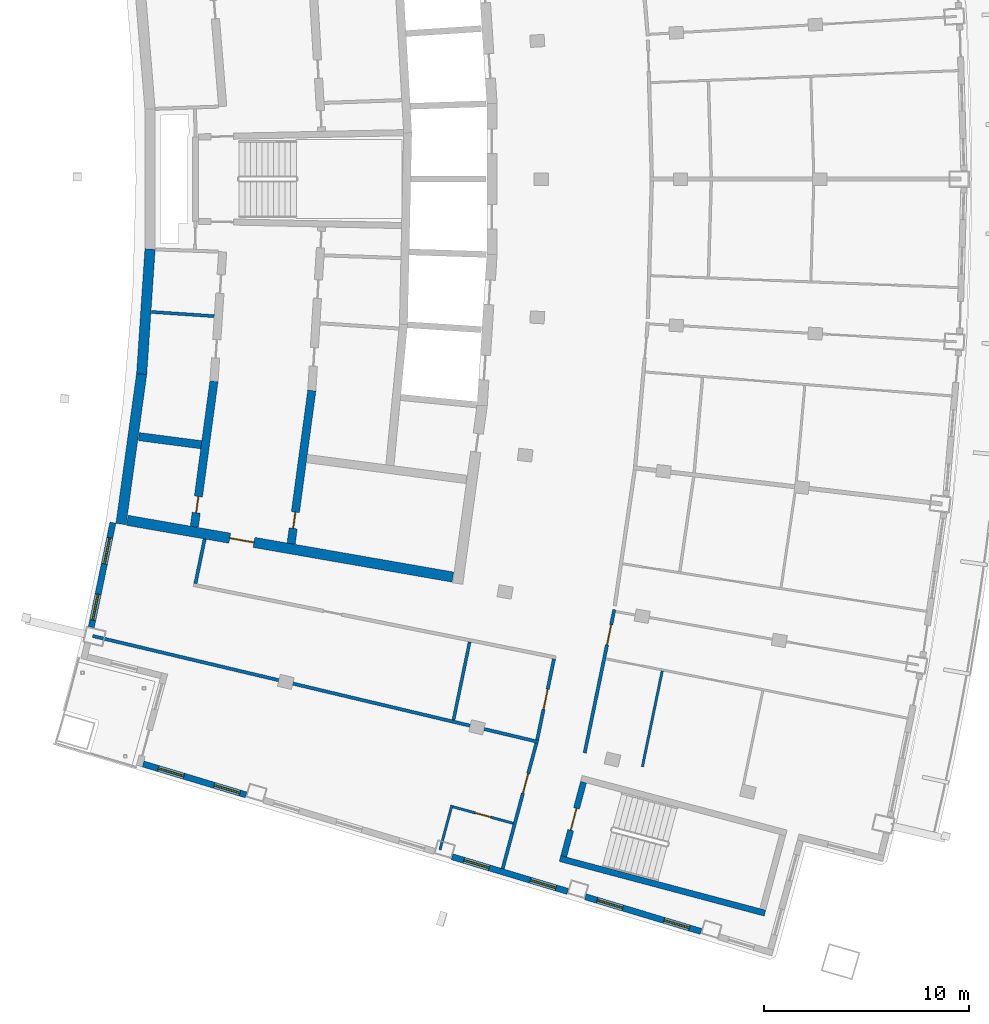
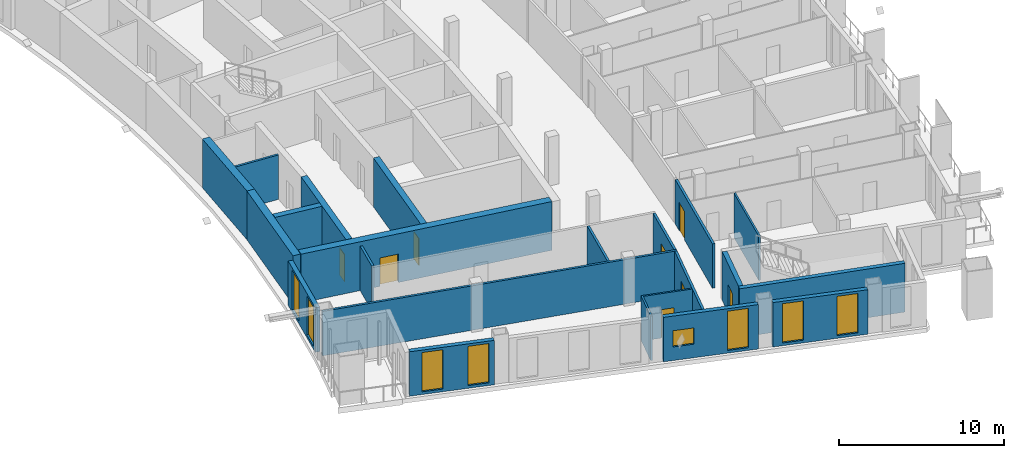
# One storey, part 7 of 17: 22 walls, 8 doors, 8 windows, 16 openings.
"""IFC4 building model written with IfcOpenShell, lengths in metres."""

from ifc_helpers import new_model, si_unit, direction, frame, frame_2d, origin, place, context, subcontext, project, spatial, rectangle, extrude, material, layer, layer_set, type_object, element, fill, save


model = new_model("IFC4")

# Units and contexts
model_context = context("Model", 3, precision=1e-05, world=origin(), true_north=direction((0.0, 1.0)))
body_context = subcontext(model_context, "Body", "Model", "MODEL_VIEW")
ifc_project = project(units=[si_unit("LENGTHUNIT", "METRE"), si_unit("AREAUNIT", "SQUARE_METRE"), si_unit("VOLUMEUNIT", "CUBIC_METRE"), si_unit("PLANEANGLEUNIT", "RADIAN"), si_unit("MASSUNIT", "GRAM", prefix="KILO")], contexts=[model_context])

# Site, building, storey
site_placement = place(None, origin())
site = spatial("IfcSite", under=ifc_project, at=site_placement, CompositionType="ELEMENT")
building_placement = place(site_placement, origin())
building = spatial("IfcBuilding", under=site, at=building_placement, Name="Alderwake Tower", CompositionType="ELEMENT")
storey_placement = place(building_placement, frame((0.0, 0.0, 274.39990234375)))
storey = spatial("IfcBuildingStorey", under=building, at=storey_placement, Name="L68", CompositionType="ELEMENT", Elevation=274.39990234375)

# Walls
ifc_material_1 = material(Name="Gypsum shaft wall system, rated")
ifc_layer_1 = layer(ifc_material_1, 0.14990234375)
ifc_layer_set_1 = layer_set([ifc_layer_1], Name="Core room partition 150")
wall_type_1 = type_object("IfcWallType", Name="Core room partition 150", PredefinedType="PARTITIONING", material=ifc_layer_set_1)
wall_1_placement = place(storey_placement, frame((16.7646484375, 54.512939453125, 0.0), z_axis=(0.0, 0.0, 1.0), x_axis=(0.997758318264, -0.066920388042, 0.0)))
element("IfcWall", 1, at=wall_1_placement, inside=storey, type_object=wall_type_1, Name="CW/L68/PR-70_+0", PredefinedType="PARTITIONING", context=body_context, shape_type="SweptSolid", body=[
    extrude(rectangle(XDim=3.068115234375, YDim=0.14990234375, at=frame_2d((1.5341796875, 0.0))), origin(), (0.0, 0.0, 1.0), 3.280029296875),
])
ifc_material_2 = material(Name="Concrete C70/85", Category="concrete")
ifc_layer_2 = layer(ifc_material_2, 0.5)
ifc_layer_set_2 = layer_set([ifc_layer_2], Name="Core wall outer 500 C70-85")
wall_type_2 = type_object("IfcWallType", Name="Core wall outer 500 C70-85", PredefinedType="SHEAR", material=ifc_layer_set_2)
wall_2_placement = place(storey_placement, frame((15.272216796875, 44.155029296875, 0.0), z_axis=(0.0, 0.0, 1.0), x_axis=(0.13632182908, 0.990664604655, 0.0)))
element("IfcWall", 2, at=wall_2_placement, inside=storey, type_object=wall_type_2, Name="Core wall CW.028", PredefinedType="SHEAR", context=body_context, shape_type="SweptSolid", body=[
    extrude(rectangle(XDim=7.408935546875, YDim=0.5, at=frame_2d((3.70458984375, 0.0))), origin(), (0.0, 0.0, 1.0), 3.60009765625),
])
wall_3_placement = place(storey_placement, frame((16.280517578125, 51.4765625, 0.0), z_axis=(0.0, 0.0, 1.0), x_axis=(0.066863022947, 0.997762164127, 0.0)))
element("IfcWall", 3, at=wall_3_placement, inside=storey, type_object=wall_type_2, Name="Core wall CW.027", PredefinedType="SHEAR", context=body_context, shape_type="SweptSolid", body=[
    extrude(rectangle(XDim=6.123291015625, YDim=0.5, at=frame_2d((3.0615234375, 0.0))), origin(), (0.0, 0.0, 1.0), 3.60009765625),
])

# Wall, opening, door
wall_4_placement = place(storey_placement, frame((31.47802734375, 41.564453125, 0.0), z_axis=(0.0, 0.0, 1.0), x_axis=(-0.985140274783, 0.171751678306, 0.0)))
wall_4 = element("IfcWall", 4, at=wall_4_placement, inside=storey, type_object=wall_type_2, Name="Core wall CW.072", PredefinedType="SHEAR", context=body_context, shape_type="SweptSolid", body=[
    extrude(rectangle(XDim=16.137939453125, YDim=0.5, at=frame_2d((8.06884765625, 0.0))), origin(), (0.0, 0.0, 1.0), 3.60009765625),
])
opening_1_placement = place(wall_4_placement, frame((9.859619140625, 0.0, 0.0)))
opening_1 = element("IfcOpeningElement", 5, at=opening_1_placement, cuts=wall_4, Name="Opening C003", PredefinedType="OPENING", context=body_context, shape_type="SweptSolid", body=[
    extrude(rectangle(XDim=1.199951171875, YDim=2.10009765625, at=frame_2d((0.60009765625, 1.050048828125))), frame((0.0, 0.260009765625, 0.0), z_axis=(0.0, -1.0, 0.0), x_axis=(1.0, 0.0, 0.0)), (0.0, 0.0, 1.0), 0.52001953125),
])
ifc_material_3 = material(Name="Steel-framed fire door leaf", Category="steel")
door_type_1 = type_object("IfcDoorType", Name="Core lobby exit door 1200 fire-rated", OperationType="SINGLE_SWING_LEFT", PredefinedType="DOOR", material=ifc_material_3)
door_1_placement = place(opening_1_placement, origin())
door_1 = element("IfcDoor", 6, at=door_1_placement, inside=storey, type_object=door_type_1, Name="Lobby door", OperationType="SINGLE_SWING_LEFT", OverallHeight=2.10009765625, OverallWidth=1.199951171875, PredefinedType="DOOR", context=body_context, shape_type="SweptSolid", body=[
    extrude(rectangle(XDim=1.199951171875, YDim=2.10009765625, at=frame_2d((0.60009765625, 1.050048828125))), frame((0.0, 0.02490234375, 0.0), z_axis=(0.0, -1.0, 0.0), x_axis=(1.0, 0.0, 0.0)), (0.0, 0.0, 1.0), 0.050048828125),
])
fill(opening_1, door_1)

ifc_material_4 = material(Name="Concrete C70/85", Category="concrete")
ifc_layer_3 = layer(ifc_material_4, 0.39990234375)
ifc_layer_set_3 = layer_set([ifc_layer_3], Name="Core wall spine 400 C70-85")
wall_type_3 = type_object("IfcWallType", Name="Core wall spine 400 C70-85", PredefinedType="SHEAR", material=ifc_layer_set_3)
wall_5_placement = place(storey_placement, frame((19.814697265625, 51.143798828125, 0.0), z_axis=(0.0, 0.0, 1.0), x_axis=(-0.133823115837, -0.991005233925, 0.0)))
wall_5 = element("IfcWall", 7, at=wall_5_placement, inside=storey, type_object=wall_type_3, Name="Core wall CW.033", PredefinedType="SHEAR", context=body_context, shape_type="SweptSolid", body=[
    extrude(rectangle(XDim=7.1787109375, YDim=0.39990234375, at=frame_2d((3.58935546875, 0.0))), origin(), (0.0, 0.0, 1.0), 3.60009765625),
])
opening_2_placement = place(wall_5_placement, frame((5.69677734375, 0.0, 0.0)))
opening_2 = element("IfcOpeningElement", 8, at=opening_2_placement, cuts=wall_5, Name="Opening C007", PredefinedType="OPENING", context=body_context, shape_type="SweptSolid", body=[
    extrude(rectangle(XDim=0.800048828125, YDim=2.0, at=frame_2d((0.39990234375, 1.0))), frame((0.0, 0.2099609375, 0.0), z_axis=(0.0, -1.0, 0.0), x_axis=(1.0, 0.0, 0.0)), (0.0, 0.0, 1.0), 0.419921875),
])
ifc_material_5 = material(Name="Painted steel leaf, rated", Category="steel")
door_type_2 = type_object("IfcDoorType", Name="Riser access door 800", OperationType="SINGLE_SWING_LEFT", PredefinedType="DOOR", material=ifc_material_5)
door_2_placement = place(opening_2_placement, origin())
door_2 = element("IfcDoor", 9, at=door_2_placement, inside=storey, type_object=door_type_2, Name="Riser access door", OperationType="SINGLE_SWING_LEFT", OverallHeight=2.0, OverallWidth=0.800048828125, PredefinedType="DOOR", context=body_context, shape_type="SweptSolid", body=[
    extrude(rectangle(XDim=0.800048828125, YDim=2.0, at=frame_2d((0.39990234375, 1.0))), frame((0.0, 0.02490234375, 0.0), z_axis=(0.0, -1.0, 0.0), x_axis=(1.0, 0.0, 0.0)), (0.0, 0.0, 1.0), 0.050048828125),
])
fill(opening_2, door_2)

wall_6_placement = place(storey_placement, frame((23.58056640625, 43.19384765625, 0.0), z_axis=(0.0, 0.0, 1.0), x_axis=(0.133962545762, 0.990986395635, 0.0)))
wall_6 = element("IfcWall", 10, at=wall_6_placement, inside=storey, type_object=wall_type_3, Name="Core wall CW.047", PredefinedType="SHEAR", context=body_context, shape_type="SweptSolid", body=[
    extrude(rectangle(XDim=7.546875, YDim=0.39990234375, at=frame_2d((3.7734375, 0.0))), origin(), (0.0, 0.0, 1.0), 3.60009765625),
])
opening_3_placement = place(wall_6_placement, frame((0.7578125, 0.0, 0.0)))
opening_3 = element("IfcOpeningElement", 11, at=opening_3_placement, cuts=wall_6, Name="Opening C014", PredefinedType="OPENING", context=body_context, shape_type="SweptSolid", body=[
    extrude(rectangle(XDim=0.800048828125, YDim=2.0, at=frame_2d((0.39990234375, 1.0))), frame((0.0, 0.2099609375, 0.0), z_axis=(0.0, -1.0, 0.0), x_axis=(1.0, 0.0, 0.0)), (0.0, 0.0, 1.0), 0.419921875),
])
door_3_placement = place(opening_3_placement, origin())
door_3 = element("IfcDoor", 12, at=door_3_placement, inside=storey, type_object=door_type_2, Name="Riser access door", OperationType="SINGLE_SWING_RIGHT", OverallHeight=2.0, OverallWidth=0.800048828125, PredefinedType="DOOR", context=body_context, shape_type="SweptSolid", body=[
    extrude(rectangle(XDim=0.800048828125, YDim=2.0, at=frame_2d((0.39990234375, 1.0))), frame((0.0, 0.02490234375, 0.0), z_axis=(0.0, -1.0, 0.0), x_axis=(1.0, 0.0, 0.0)), (0.0, 0.0, 1.0), 0.050048828125),
])
fill(opening_3, door_3)

# Walls
wall_7_placement = place(storey_placement, frame((16.142578125, 48.42529296875, 0.0), z_axis=(0.0, 0.0, 1.0), x_axis=(0.991550757989, -0.129719290517, 0.0)))
element("IfcWall", 13, at=wall_7_placement, inside=storey, type_object=wall_type_3, Name="Core wall CW.067", PredefinedType="SHEAR", context=body_context, shape_type="SweptSolid", body=[
    extrude(rectangle(XDim=3.0751953125, YDim=0.39990234375, at=frame_2d((1.53759765625, 0.0))), origin(), (0.0, 0.0, 1.0), 3.60009765625),
])
ifc_material_6 = material(Name="Concrete C70/85", Category="concrete")
ifc_layer_4 = layer(ifc_material_6, 0.300048828125)
ifc_layer_set_4 = layer_set([ifc_layer_4], Name="Core wall stair enclosure 300 C70-85")
wall_type_4 = type_object("IfcWallType", Name="Core wall stair enclosure 300 C70-85", PredefinedType="SHEAR", material=ifc_layer_set_4)
wall_8_placement = place(storey_placement, frame((36.71142578125, 27.817626953125, 0.0), z_axis=(0.0, 0.0, 1.0), x_axis=(0.966309214305, -0.257383958996, 0.0)))
element("IfcWall", 14, at=wall_8_placement, inside=storey, type_object=wall_type_4, Name="Core wall CW.088", PredefinedType="SHEAR", context=body_context, shape_type="SweptSolid", body=[
    extrude(rectangle(XDim=10.360107421875, YDim=0.300048828125, at=frame_2d((5.18017578125, 0.0))), origin(), (0.0, 0.0, 1.0), 3.60009765625),
])

# Wall, opening, door
wall_9_placement = place(storey_placement, frame((36.89501953125, 27.923828125, 0.0), z_axis=(0.0, 0.0, 1.0), x_axis=(0.257350630826, 0.966318090907, 0.0)))
wall_9 = element("IfcWall", 15, at=wall_9_placement, inside=storey, type_object=wall_type_4, Name="Core wall CW.087", PredefinedType="SHEAR", context=body_context, shape_type="SweptSolid", body=[
    extrude(rectangle(XDim=3.75, YDim=0.300048828125, at=frame_2d((1.875, 0.0))), origin(), (0.0, 0.0, 1.0), 3.60009765625),
])
opening_4_placement = place(wall_9_placement, frame((1.324951171875, 0.0, 0.0)))
opening_4 = element("IfcOpeningElement", 16, at=opening_4_placement, cuts=wall_9, Name="Opening C065", PredefinedType="OPENING", context=body_context, shape_type="SweptSolid", body=[
    extrude(rectangle(XDim=1.10009765625, YDim=2.10009765625, at=frame_2d((0.550048828125, 1.050048828125))), frame((0.0, 0.159912109375, 0.0), z_axis=(0.0, -1.0, 0.0), x_axis=(1.0, 0.0, 0.0)), (0.0, 0.0, 1.0), 0.320068359375),
])
ifc_material_7 = material(Name="Steel-framed fire door leaf", Category="steel")
door_type_3 = type_object("IfcDoorType", Name="Core stair door 1100 fire-rated", OperationType="SINGLE_SWING_LEFT", PredefinedType="DOOR", material=ifc_material_7)
door_4_placement = place(opening_4_placement, origin())
door_4 = element("IfcDoor", 17, at=door_4_placement, inside=storey, type_object=door_type_3, Name="Stair door", OperationType="SINGLE_SWING_LEFT", OverallHeight=2.10009765625, OverallWidth=1.10009765625, PredefinedType="DOOR", context=body_context, shape_type="SweptSolid", body=[
    extrude(rectangle(XDim=1.10009765625, YDim=2.10009765625, at=frame_2d((0.550048828125, 1.050048828125))), frame((0.0, 0.02490234375, 0.0), z_axis=(0.0, -1.0, 0.0), x_axis=(1.0, 0.0, 0.0)), (0.0, 0.0, 1.0), 0.050048828125),
])
fill(opening_4, door_4)

# Walls
ifc_material_8 = material(Name="Gypsum board on metal studs, rated")
ifc_layer_5 = layer(ifc_material_8, 0.159912109375)
ifc_layer_set_5 = layer_set([ifc_layer_5], Name="Corridor wall 160")
wall_type_5 = type_object("IfcWallType", Name="Corridor wall 160", PredefinedType="PARTITIONING", material=ifc_layer_set_5)
wall_10_placement = place(storey_placement, frame((13.884033203125, 38.68798828125, 0.0), z_axis=(0.0, 0.0, 1.0), x_axis=(0.972893462073, -0.231253781493, 0.0)))
element("IfcWall", 18, at=wall_10_placement, inside=storey, type_object=wall_type_5, Name="WL/L68/W06", PredefinedType="PARTITIONING", context=body_context, shape_type="SweptSolid", body=[
    extrude(rectangle(XDim=22.38037109375, YDim=0.159912109375, at=frame_2d((11.190185546875, 0.0))), origin(), (0.0, 0.0, 1.0), 3.280029296875),
])
wall_11_placement = place(storey_placement, frame((19.35888671875, 43.430908203125, 0.0), z_axis=(0.0, 0.0, 1.0), x_axis=(-0.202554916658, -0.979270905183, 0.0)))
element("IfcWall", 19, at=wall_11_placement, inside=storey, type_object=wall_type_5, Name="WL/L68/W08", PredefinedType="PARTITIONING", context=body_context, shape_type="SweptSolid", body=[
    extrude(rectangle(XDim=2.229736328125, YDim=0.159912109375, at=frame_2d((1.11474609375, 0.0))), origin(), (0.0, 0.0, 1.0), 3.280029296875),
])

# Wall, opening, door
wall_12_placement = place(storey_placement, frame((33.912109375, 27.321044921875, 0.0), z_axis=(0.0, 0.0, 1.0), x_axis=(0.259370874835, 0.965777794986, 0.0)))
wall_12 = element("IfcWall", 20, at=wall_12_placement, inside=storey, type_object=wall_type_5, Name="WL/L68/W13", PredefinedType="PARTITIONING", context=body_context, shape_type="SweptSolid", body=[
    extrude(rectangle(XDim=6.349853515625, YDim=0.159912109375, at=frame_2d((3.1748046875, 0.0))), origin(), (0.0, 0.0, 1.0), 3.280029296875),
])
opening_5_placement = place(wall_12_placement, frame((3.811279296875, 0.0, 0.0)))
opening_5 = element("IfcOpeningElement", 21, at=opening_5_placement, cuts=wall_12, Name="Opening R19-U07.1", PredefinedType="OPENING", context=body_context, shape_type="SweptSolid", body=[
    extrude(rectangle(XDim=1.0, YDim=2.10009765625, at=frame_2d((0.5, 1.050048828125))), frame((0.0, 0.08984375, 0.0), z_axis=(0.0, -1.0, 0.0), x_axis=(1.0, 0.0, 0.0)), (0.0, 0.0, 1.0), 0.179931640625),
])
ifc_material_9 = material(Name="Solid timber leaf in steel frame", Category="steel")
door_type_4 = type_object("IfcDoorType", Name="Flat entrance door 1000 fire-rated", OperationType="SINGLE_SWING_LEFT", PredefinedType="DOOR", material=ifc_material_9)
door_5_placement = place(opening_5_placement, origin())
door_5 = element("IfcDoor", 22, at=door_5_placement, inside=storey, type_object=door_type_4, Name="DR/L68/U07.1", OperationType="SINGLE_SWING_LEFT", OverallHeight=2.10009765625, OverallWidth=1.0, PredefinedType="DOOR", context=body_context, shape_type="SweptSolid", body=[
    extrude(rectangle(XDim=1.0, YDim=2.10009765625, at=frame_2d((0.5, 1.050048828125))), frame((0.0, 0.02490234375, 0.0), z_axis=(0.0, -1.0, 0.0), x_axis=(1.0, 0.0, 0.0)), (0.0, 0.0, 1.0), 0.050048828125),
])
fill(opening_5, door_5)

wall_13_placement = place(storey_placement, frame((35.59619140625, 33.609375, 0.0), z_axis=(0.0, 0.0, 1.0), x_axis=(0.203245920818, 0.979127721838, 0.0)))
wall_13 = element("IfcWall", 23, at=wall_13_placement, inside=storey, type_object=wall_type_5, Name="WL/L68/W16", PredefinedType="PARTITIONING", context=body_context, shape_type="SweptSolid", body=[
    extrude(rectangle(XDim=4.046875, YDim=0.159912109375, at=frame_2d((2.0234375, 0.0))), origin(), (0.0, 0.0, 1.0), 3.280029296875),
])
opening_6_placement = place(wall_13_placement, frame((1.5234375, 0.0, 0.0)))
opening_6 = element("IfcOpeningElement", 24, at=opening_6_placement, cuts=wall_13, Name="Opening R19-SBS2", PredefinedType="OPENING", context=body_context, shape_type="SweptSolid", body=[
    extrude(rectangle(XDim=1.0, YDim=2.10009765625, at=frame_2d((0.5, 1.050048828125))), frame((0.0, 0.08984375, 0.0), z_axis=(0.0, -1.0, 0.0), x_axis=(1.0, 0.0, 0.0)), (0.0, 0.0, 1.0), 0.179931640625),
])
ifc_material_10 = material(Name="Steel-framed fire door leaf", Category="steel")
door_type_5 = type_object("IfcDoorType", Name="Plant room door 1000 fire-rated", OperationType="SINGLE_SWING_LEFT", PredefinedType="DOOR", material=ifc_material_10)
door_6_placement = place(opening_6_placement, origin())
door_6 = element("IfcDoor", 25, at=door_6_placement, inside=storey, type_object=door_type_5, Name="DR/L68/SBS2", OperationType="SINGLE_SWING_LEFT", OverallHeight=2.10009765625, OverallWidth=1.0, PredefinedType="DOOR", context=body_context, shape_type="SweptSolid", body=[
    extrude(rectangle(XDim=1.0, YDim=2.10009765625, at=frame_2d((0.5, 1.050048828125))), frame((0.0, 0.02490234375, 0.0), z_axis=(0.0, -1.0, 0.0), x_axis=(1.0, 0.0, 0.0)), (0.0, 0.0, 1.0), 0.050048828125),
])
fill(opening_6, door_6)

wall_14_placement = place(storey_placement, frame((39.3642578125, 39.975341796875, 0.0), z_axis=(0.0, 0.0, 1.0), x_axis=(-0.202490391407, -0.979284249535, 0.0)))
wall_14 = element("IfcWall", 26, at=wall_14_placement, inside=storey, type_object=wall_type_5, Name="WL/L68/W18", PredefinedType="PARTITIONING", context=body_context, shape_type="SweptSolid", body=[
    extrude(rectangle(XDim=7.147216796875, YDim=0.159912109375, at=frame_2d((3.57373046875, 0.0))), origin(), (0.0, 0.0, 1.0), 3.280029296875),
])
opening_7_placement = place(wall_14_placement, frame((0.7568359375, 0.0, 0.0)))
opening_7 = element("IfcOpeningElement", 27, at=opening_7_placement, cuts=wall_14, Name="Opening R19-U03.2", PredefinedType="OPENING", context=body_context, shape_type="SweptSolid", body=[
    extrude(rectangle(XDim=1.0, YDim=2.10009765625, at=frame_2d((0.5, 1.050048828125))), frame((0.0, 0.08984375, 0.0), z_axis=(0.0, -1.0, 0.0), x_axis=(1.0, 0.0, 0.0)), (0.0, 0.0, 1.0), 0.179931640625),
])
door_7_placement = place(opening_7_placement, origin())
door_7 = element("IfcDoor", 28, at=door_7_placement, inside=storey, type_object=door_type_4, Name="DR/L68/U03.2", OperationType="SINGLE_SWING_LEFT", OverallHeight=2.10009765625, OverallWidth=1.0, PredefinedType="DOOR", context=body_context, shape_type="SweptSolid", body=[
    extrude(rectangle(XDim=1.0, YDim=2.10009765625, at=frame_2d((0.5, 1.050048828125))), frame((0.0, 0.02490234375, 0.0), z_axis=(0.0, -1.0, 0.0), x_axis=(1.0, 0.0, 0.0)), (0.0, 0.0, 1.0), 0.050048828125),
])
fill(opening_7, door_7)

# Wall, openings, windows
ifc_material_11 = material(Name="Precast concrete C50/60 spandrel panel", Category="concrete")
ifc_layer_6 = layer(ifc_material_11, 0.300048828125)
ifc_layer_set_6 = layer_set([ifc_layer_6], Name="External wall EW1 Precast concrete C50/60 spandrel")
wall_type_6 = type_object("IfcWallType", Name="External wall EW1 Precast concrete C50/60 spandrel", PredefinedType="SOLIDWALL", material=ifc_layer_set_6)
wall_15_placement = place(storey_placement, frame((14.878173828125, 44.223388671875, 0.0), z_axis=(0.0, 0.0, 1.0), x_axis=(-0.202760516883, -0.979228355795, 0.0)))
wall_15 = element("IfcWall", 29, at=wall_15_placement, inside=storey, type_object=wall_type_6, Name="External wall 32", PredefinedType="SOLIDWALL", context=body_context, shape_type="SweptSolid", body=[
    extrude(rectangle(XDim=5.211181640625, YDim=0.300048828125, at=frame_2d((2.60546875, 0.0))), origin(), (0.0, 0.0, 1.0), 3.280029296875),
])
opening_8_placement = place(wall_15_placement, frame((0.75634765625, 0.0, 0.199951171875)))
opening_8 = element("IfcOpeningElement", 30, at=opening_8_placement, cuts=wall_15, Name="Opening W1", PredefinedType="OPENING", context=body_context, shape_type="SweptSolid", body=[
    extrude(rectangle(XDim=1.300048828125, YDim=2.89990234375, at=frame_2d((0.64990234375, 1.449951171875))), frame((0.0, 0.159912109375, 0.0), z_axis=(0.0, -1.0, 0.0), x_axis=(1.0, 0.0, 0.0)), (0.0, 0.0, 1.0), 0.320068359375),
])
opening_9_placement = place(wall_15_placement, frame((3.569091796875, 0.0, 0.199951171875)))
opening_9 = element("IfcOpeningElement", 31, at=opening_9_placement, cuts=wall_15, Name="Opening W1", PredefinedType="OPENING", context=body_context, shape_type="SweptSolid", body=[
    extrude(rectangle(XDim=1.300048828125, YDim=2.89990234375, at=frame_2d((0.64990234375, 1.449951171875))), frame((0.0, 0.159912109375, 0.0), z_axis=(0.0, -1.0, 0.0), x_axis=(1.0, 0.0, 0.0)), (0.0, 0.0, 1.0), 0.320068359375),
])
ifc_material_12 = material(Name="Bronze tinted glass in aluminium frame", Category="aluminium")
window_type_1 = type_object("IfcWindowType", Name="Window W1 tall fixed and vent", PartitioningType="DOUBLE_PANEL_VERTICAL", PredefinedType="WINDOW", material=ifc_material_12)
window_1_placement = place(opening_8_placement, origin())
window_1 = element("IfcWindow", 32, at=window_1_placement, inside=storey, type_object=window_type_1, Name="Window W1 tall fixed and vent", OverallHeight=2.89990234375, OverallWidth=1.300048828125, PartitioningType="DOUBLE_PANEL_VERTICAL", PredefinedType="WINDOW", context=body_context, shape_type="SweptSolid", body=[
    extrude(rectangle(XDim=1.300048828125, YDim=2.89990234375, at=frame_2d((0.64990234375, 1.449951171875))), frame((0.0, 0.030029296875, 0.0), z_axis=(0.0, -1.0, 0.0), x_axis=(1.0, 0.0, 0.0)), (0.0, 0.0, 1.0), 0.06005859375),
])
fill(opening_8, window_1)
window_2_placement = place(opening_9_placement, origin())
window_2 = element("IfcWindow", 33, at=window_2_placement, inside=storey, type_object=window_type_1, Name="Window W1 tall fixed and vent", OverallHeight=2.89990234375, OverallWidth=1.300048828125, PartitioningType="DOUBLE_PANEL_VERTICAL", PredefinedType="WINDOW", context=body_context, shape_type="SweptSolid", body=[
    extrude(rectangle(XDim=1.300048828125, YDim=2.89990234375, at=frame_2d((0.64990234375, 1.449951171875))), frame((0.0, 0.030029296875, 0.0), z_axis=(0.0, -1.0, 0.0), x_axis=(1.0, 0.0, 0.0)), (0.0, 0.0, 1.0), 0.06005859375),
])
fill(opening_9, window_2)

ifc_material_13 = material(Name="Bronze metal cladding on lightweight framing")
ifc_layer_7 = layer(ifc_material_13, 0.300048828125)
ifc_layer_set_7 = layer_set([ifc_layer_7], Name="External wall EW2 bronze metal cladding")
wall_type_7 = type_object("IfcWallType", Name="External wall EW2 bronze metal cladding", PredefinedType="SOLIDWALL", material=ifc_layer_set_7)
wall_16_placement = place(storey_placement, frame((16.352783203125, 32.4375, 0.0), z_axis=(0.0, 0.0, 1.0), x_axis=(0.957768668152, -0.287539872551, 0.0)))
wall_16 = element("IfcWall", 34, at=wall_16_placement, inside=storey, type_object=wall_type_7, Name="External wall 4", PredefinedType="SOLIDWALL", context=body_context, shape_type="SweptSolid", body=[
    extrude(rectangle(XDim=5.249755859375, YDim=0.300048828125, at=frame_2d((2.625, 0.0))), origin(), (0.0, 0.0, 1.0), 3.280029296875),
])
opening_10_placement = place(wall_16_placement, frame((0.775390625, 0.0, 0.199951171875)))
opening_10 = element("IfcOpeningElement", 35, at=opening_10_placement, cuts=wall_16, Name="Opening W1", PredefinedType="OPENING", context=body_context, shape_type="SweptSolid", body=[
    extrude(rectangle(XDim=1.300048828125, YDim=2.89990234375, at=frame_2d((0.64990234375, 1.449951171875))), frame((0.0, 0.159912109375, 0.0), z_axis=(0.0, -1.0, 0.0), x_axis=(1.0, 0.0, 0.0)), (0.0, 0.0, 1.0), 0.320068359375),
])
opening_11_placement = place(wall_16_placement, frame((3.626220703125, 0.0, 0.199951171875)))
opening_11 = element("IfcOpeningElement", 36, at=opening_11_placement, cuts=wall_16, Name="Opening W1", PredefinedType="OPENING", context=body_context, shape_type="SweptSolid", body=[
    extrude(rectangle(XDim=1.300048828125, YDim=2.89990234375, at=frame_2d((0.64990234375, 1.449951171875))), frame((0.0, 0.159912109375, 0.0), z_axis=(0.0, -1.0, 0.0), x_axis=(1.0, 0.0, 0.0)), (0.0, 0.0, 1.0), 0.320068359375),
])
window_3_placement = place(opening_10_placement, origin())
window_3 = element("IfcWindow", 37, at=window_3_placement, inside=storey, type_object=window_type_1, Name="Window W1 tall fixed and vent", OverallHeight=2.89990234375, OverallWidth=1.300048828125, PartitioningType="DOUBLE_PANEL_VERTICAL", PredefinedType="WINDOW", context=body_context, shape_type="SweptSolid", body=[
    extrude(rectangle(XDim=1.300048828125, YDim=2.89990234375, at=frame_2d((0.64990234375, 1.449951171875))), frame((0.0, 0.030029296875, 0.0), z_axis=(0.0, -1.0, 0.0), x_axis=(1.0, 0.0, 0.0)), (0.0, 0.0, 1.0), 0.06005859375),
])
fill(opening_10, window_3)
window_4_placement = place(opening_11_placement, origin())
window_4 = element("IfcWindow", 38, at=window_4_placement, inside=storey, type_object=window_type_1, Name="Window W1 tall fixed and vent", OverallHeight=2.89990234375, OverallWidth=1.300048828125, PartitioningType="DOUBLE_PANEL_VERTICAL", PredefinedType="WINDOW", context=body_context, shape_type="SweptSolid", body=[
    extrude(rectangle(XDim=1.300048828125, YDim=2.89990234375, at=frame_2d((0.64990234375, 1.449951171875))), frame((0.0, 0.030029296875, 0.0), z_axis=(0.0, -1.0, 0.0), x_axis=(1.0, 0.0, 0.0)), (0.0, 0.0, 1.0), 0.06005859375),
])
fill(opening_11, window_4)

wall_17_placement = place(storey_placement, frame((31.441162109375, 27.90771484375, 0.0), z_axis=(0.0, 0.0, 1.0), x_axis=(0.957753322858, -0.287590981349, 0.0)))
wall_17 = element("IfcWall", 39, at=wall_17_placement, inside=storey, type_object=wall_type_7, Name="External wall 6", PredefinedType="SOLIDWALL", context=body_context, shape_type="SweptSolid", body=[
    extrude(rectangle(XDim=5.896484375, YDim=0.300048828125, at=frame_2d((2.9482421875, 0.0))), origin(), (0.0, 0.0, 1.0), 3.280029296875),
])
opening_12_placement = place(wall_17_placement, frame((0.59814453125, 0.0, 1.0)))
opening_12 = element("IfcOpeningElement", 40, at=opening_12_placement, cuts=wall_17, Name="Opening W2", PredefinedType="OPENING", context=body_context, shape_type="SweptSolid", body=[
    extrude(rectangle(XDim=1.300048828125, YDim=1.199951171875, at=frame_2d((0.64990234375, 0.60009765625))), frame((0.0, 0.159912109375, 0.0), z_axis=(0.0, -1.0, 0.0), x_axis=(1.0, 0.0, 0.0)), (0.0, 0.0, 1.0), 0.320068359375),
])
opening_13_placement = place(wall_17_placement, frame((3.998291015625, 0.0, 0.199951171875)))
opening_13 = element("IfcOpeningElement", 41, at=opening_13_placement, cuts=wall_17, Name="Opening W1", PredefinedType="OPENING", context=body_context, shape_type="SweptSolid", body=[
    extrude(rectangle(XDim=1.300048828125, YDim=2.89990234375, at=frame_2d((0.64990234375, 1.449951171875))), frame((0.0, 0.159912109375, 0.0), z_axis=(0.0, -1.0, 0.0), x_axis=(1.0, 0.0, 0.0)), (0.0, 0.0, 1.0), 0.320068359375),
])
window_5_placement = place(opening_13_placement, origin())
window_5 = element("IfcWindow", 42, at=window_5_placement, inside=storey, type_object=window_type_1, Name="Window W1 tall fixed and vent", OverallHeight=2.89990234375, OverallWidth=1.300048828125, PartitioningType="DOUBLE_PANEL_VERTICAL", PredefinedType="WINDOW", context=body_context, shape_type="SweptSolid", body=[
    extrude(rectangle(XDim=1.300048828125, YDim=2.89990234375, at=frame_2d((0.64990234375, 1.449951171875))), frame((0.0, 0.030029296875, 0.0), z_axis=(0.0, -1.0, 0.0), x_axis=(1.0, 0.0, 0.0)), (0.0, 0.0, 1.0), 0.06005859375),
])
fill(opening_13, window_5)
ifc_material_14 = material(Name="Bronze tinted glass in aluminium frame", Category="aluminium")
window_type_2 = type_object("IfcWindowType", Name="Window W2 kitchen and bath", PartitioningType="SINGLE_PANEL", PredefinedType="WINDOW", material=ifc_material_14)
window_6_placement = place(opening_12_placement, origin())
window_6 = element("IfcWindow", 43, at=window_6_placement, inside=storey, type_object=window_type_2, Name="Window W2 kitchen and bath", OverallHeight=1.199951171875, OverallWidth=1.300048828125, PartitioningType="SINGLE_PANEL", PredefinedType="WINDOW", context=body_context, shape_type="SweptSolid", body=[
    extrude(rectangle(XDim=1.300048828125, YDim=1.199951171875, at=frame_2d((0.64990234375, 0.60009765625))), frame((0.0, 0.030029296875, 0.0), z_axis=(0.0, -1.0, 0.0), x_axis=(1.0, 0.0, 0.0)), (0.0, 0.0, 1.0), 0.06005859375),
])
fill(opening_12, window_6)

wall_18_placement = place(storey_placement, frame((37.953857421875, 25.952392578125, 0.0), z_axis=(0.0, 0.0, 1.0), x_axis=(0.957760170947, -0.287568174436, 0.0)))
wall_18 = element("IfcWall", 44, at=wall_18_placement, inside=storey, type_object=wall_type_7, Name="External wall 7", PredefinedType="SOLIDWALL", context=body_context, shape_type="SweptSolid", body=[
    extrude(rectangle(XDim=5.89697265625, YDim=0.300048828125, at=frame_2d((2.948486328125, 0.0))), origin(), (0.0, 0.0, 1.0), 3.280029296875),
])
opening_14_placement = place(wall_18_placement, frame((0.598388671875, 0.0, 0.199951171875)))
opening_14 = element("IfcOpeningElement", 45, at=opening_14_placement, cuts=wall_18, Name="Opening W1", PredefinedType="OPENING", context=body_context, shape_type="SweptSolid", body=[
    extrude(rectangle(XDim=1.300048828125, YDim=2.89990234375, at=frame_2d((0.64990234375, 1.449951171875))), frame((0.0, 0.159912109375, 0.0), z_axis=(0.0, -1.0, 0.0), x_axis=(1.0, 0.0, 0.0)), (0.0, 0.0, 1.0), 0.320068359375),
])
opening_15_placement = place(wall_18_placement, frame((3.998291015625, 0.0, 0.199951171875)))
opening_15 = element("IfcOpeningElement", 46, at=opening_15_placement, cuts=wall_18, Name="Opening W1", PredefinedType="OPENING", context=body_context, shape_type="SweptSolid", body=[
    extrude(rectangle(XDim=1.300048828125, YDim=2.89990234375, at=frame_2d((0.64990234375, 1.449951171875))), frame((0.0, 0.159912109375, 0.0), z_axis=(0.0, -1.0, 0.0), x_axis=(1.0, 0.0, 0.0)), (0.0, 0.0, 1.0), 0.320068359375),
])
window_7_placement = place(opening_14_placement, origin())
window_7 = element("IfcWindow", 47, at=window_7_placement, inside=storey, type_object=window_type_1, Name="Window W1 tall fixed and vent", OverallHeight=2.89990234375, OverallWidth=1.300048828125, PartitioningType="DOUBLE_PANEL_VERTICAL", PredefinedType="WINDOW", context=body_context, shape_type="SweptSolid", body=[
    extrude(rectangle(XDim=1.300048828125, YDim=2.89990234375, at=frame_2d((0.64990234375, 1.449951171875))), frame((0.0, 0.030029296875, 0.0), z_axis=(0.0, -1.0, 0.0), x_axis=(1.0, 0.0, 0.0)), (0.0, 0.0, 1.0), 0.06005859375),
])
fill(opening_14, window_7)
window_8_placement = place(opening_15_placement, origin())
window_8 = element("IfcWindow", 48, at=window_8_placement, inside=storey, type_object=window_type_1, Name="Window W1 tall fixed and vent", OverallHeight=2.89990234375, OverallWidth=1.300048828125, PartitioningType="DOUBLE_PANEL_VERTICAL", PredefinedType="WINDOW", context=body_context, shape_type="SweptSolid", body=[
    extrude(rectangle(XDim=1.300048828125, YDim=2.89990234375, at=frame_2d((0.64990234375, 1.449951171875))), frame((0.0, 0.030029296875, 0.0), z_axis=(0.0, -1.0, 0.0), x_axis=(1.0, 0.0, 0.0)), (0.0, 0.0, 1.0), 0.06005859375),
])
fill(opening_15, window_8)

# Walls
ifc_material_15 = material(Name="Gypsum shaft wall system, rated")
ifc_layer_8 = layer(ifc_material_15, 0.14990234375)
ifc_layer_set_8 = layer_set([ifc_layer_8], Name="Riser and shaft wall 150")
wall_type_8 = type_object("IfcWallType", Name="Riser and shaft wall 150", PredefinedType="PARTITIONING", material=ifc_layer_set_8)
wall_19_placement = place(storey_placement, frame((31.51025390625, 34.581298828125, 0.0), z_axis=(0.0, 0.0, 1.0), x_axis=(0.202642899892, 0.979252702383, 0.0)))
element("IfcWall", 49, at=wall_19_placement, inside=storey, type_object=wall_type_8, Name="WL/L68/W04", PredefinedType="PARTITIONING", context=body_context, shape_type="SweptSolid", body=[
    extrude(rectangle(XDim=3.896240234375, YDim=0.14990234375, at=frame_2d((1.9482421875, 0.0))), origin(), (0.0, 0.0, 1.0), 3.280029296875),
])
ifc_material_16 = material(Name="Moisture resistant gypsum board on metal studs")
ifc_layer_9 = layer(ifc_material_16, 0.1201171875)
ifc_layer_set_9 = layer_set([ifc_layer_9], Name="Wet room partition 120")
wall_type_9 = type_object("IfcWallType", Name="Wet room partition 120", PredefinedType="PARTITIONING", material=ifc_layer_set_9)
wall_20_placement = place(storey_placement, frame((31.4345703125, 30.4208984375, 0.0), z_axis=(0.0, 0.0, 1.0), x_axis=(-0.259480612243, -0.965748317042, 0.0)))
element("IfcWall", 50, at=wall_20_placement, inside=storey, type_object=wall_type_9, Name="WL/L68/W27", PredefinedType="PARTITIONING", context=body_context, shape_type="SweptSolid", body=[
    extrude(rectangle(XDim=2.25634765625, YDim=0.1201171875, at=frame_2d((1.128173828125, 0.0))), origin(), (0.0, 0.0, 1.0), 3.280029296875),
])

# Wall, opening, door
wall_21_placement = place(storey_placement, frame((34.42578125, 29.5380859375, 0.0), z_axis=(0.0, 0.0, 1.0), x_axis=(-0.964362903476, 0.264583050097, 0.0)))
wall_21 = element("IfcWall", 51, at=wall_21_placement, inside=storey, type_object=wall_type_9, Name="WL/L68/W29", PredefinedType="PARTITIONING", context=body_context, shape_type="SweptSolid", body=[
    extrude(rectangle(XDim=3.057861328125, YDim=0.1201171875, at=frame_2d((1.52880859375, 0.0))), origin(), (0.0, 0.0, 1.0), 3.280029296875),
])
opening_16_placement = place(wall_21_placement, frame((1.12890625, 0.0, 0.0)))
opening_16 = element("IfcOpeningElement", 52, at=opening_16_placement, cuts=wall_21, Name="Opening R19-U07.2", PredefinedType="OPENING", context=body_context, shape_type="SweptSolid", body=[
    extrude(rectangle(XDim=0.800048828125, YDim=2.10009765625, at=frame_2d((0.39990234375, 1.050048828125))), frame((0.0, 0.070068359375, 0.0), z_axis=(0.0, -1.0, 0.0), x_axis=(1.0, 0.0, 0.0)), (0.0, 0.0, 1.0), 0.14013671875),
])
ifc_material_17 = material(Name="Painted timber leaf", Category="wood")
door_type_6 = type_object("IfcDoorType", Name="Bathroom door 800", OperationType="SINGLE_SWING_LEFT", PredefinedType="DOOR", material=ifc_material_17)
door_8_placement = place(opening_16_placement, origin())
door_8 = element("IfcDoor", 53, at=door_8_placement, inside=storey, type_object=door_type_6, Name="DR/L68/U07.2", OperationType="SINGLE_SWING_LEFT", OverallHeight=2.10009765625, OverallWidth=0.800048828125, PredefinedType="DOOR", context=body_context, shape_type="SweptSolid", body=[
    extrude(rectangle(XDim=0.800048828125, YDim=2.10009765625, at=frame_2d((0.39990234375, 1.050048828125))), frame((0.0, 0.02490234375, 0.0), z_axis=(0.0, -1.0, 0.0), x_axis=(1.0, 0.0, 0.0)), (0.0, 0.0, 1.0), 0.050048828125),
])
fill(opening_16, door_8)

# Wall
wall_22_placement = place(storey_placement, frame((40.737060546875, 32.303955078125, 0.0), z_axis=(0.0, 0.0, 1.0), x_axis=(0.202548156077, 0.979272303535, 0.0)))
element("IfcWall", 54, at=wall_22_placement, inside=storey, type_object=wall_type_9, Name="WL/L68/W30", PredefinedType="PARTITIONING", context=body_context, shape_type="SweptSolid", body=[
    extrude(rectangle(XDim=4.778076171875, YDim=0.1201171875, at=frame_2d((2.38916015625, 0.0))), origin(), (0.0, 0.0, 1.0), 3.280029296875),
])

save(model, "model.ifc")
